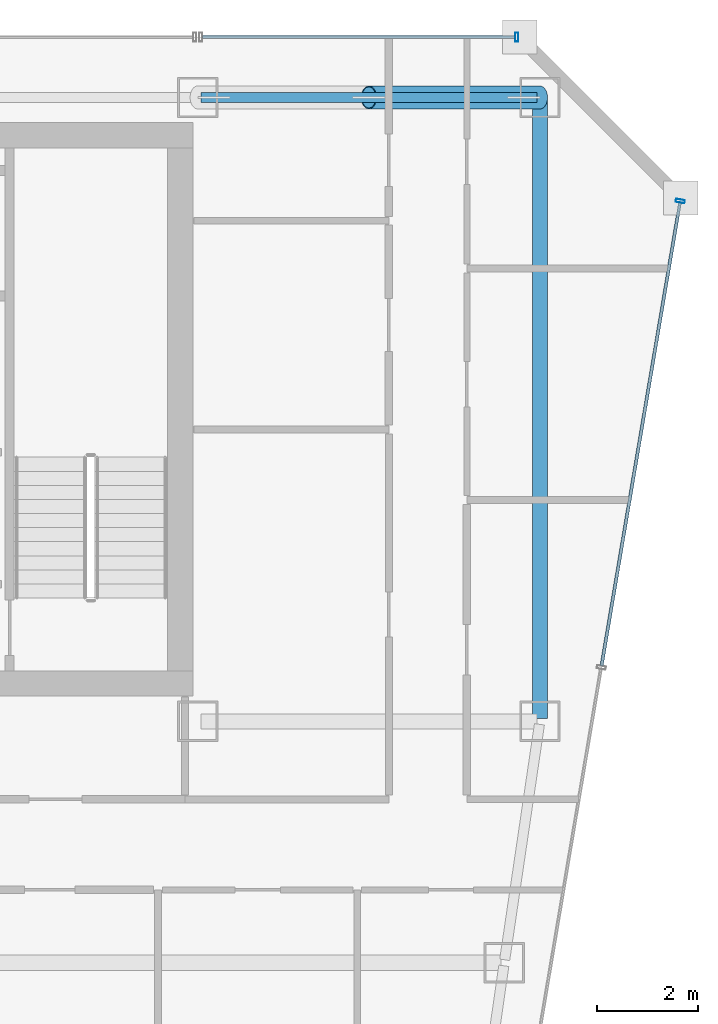
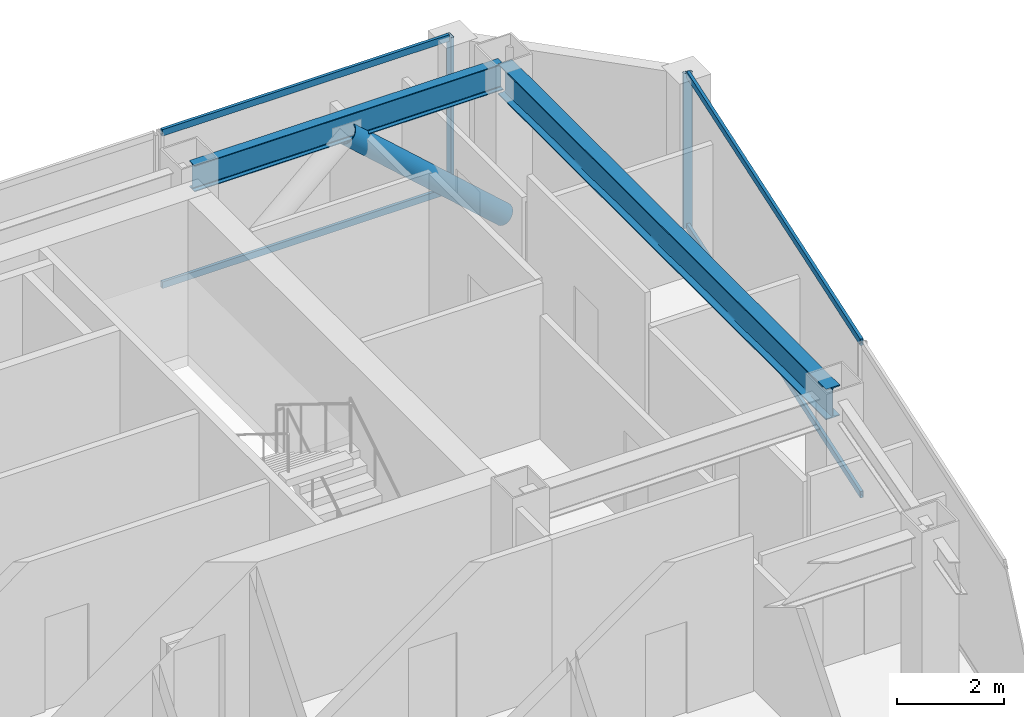
# One storey, part 27 of 36: 7 members, 2 beams, 2 elements without a shape of their own.
"""IFC4 building model written with IfcOpenShell, lengths in metres."""

from ifc_helpers import new_model, si_unit, direction, frame, origin, origin_2d, place, context, subcontext, project, spatial, hollow_rectangle, hollow_circle, i_section, extrude, material, material_profile, profile_set, type_object, element, aggregate, save


model = new_model("IFC4")

# Units and contexts
model_context = context("Model", 3, precision=1e-05, world=origin(), true_north=direction((0.0, 1.0)))
body_context = subcontext(model_context, "Body", "Model", "MODEL_VIEW")
ifc_project = project(units=[si_unit("LENGTHUNIT", "METRE"), si_unit("AREAUNIT", "SQUARE_METRE"), si_unit("VOLUMEUNIT", "CUBIC_METRE"), si_unit("PLANEANGLEUNIT", "RADIAN"), si_unit("MASSUNIT", "GRAM", prefix="KILO")], contexts=[model_context])

# Site, building, storey
site_placement = place(None, origin())
site = spatial("IfcSite", under=ifc_project, at=site_placement, CompositionType="ELEMENT")
building_placement = place(site_placement, origin())
building = spatial("IfcBuilding", under=site, at=building_placement, Name="Saevonmaru Cultural Tower", CompositionType="ELEMENT")
storey_placement = place(building_placement, frame((0.0, 0.0, 209.39990234375)))
storey = spatial("IfcBuildingStorey", under=building, at=storey_placement, Name="L48", CompositionType="ELEMENT", Elevation=209.39990234375)

# Beams
ifc_material_1 = material(Name="Steel SM355", Category="steel")
ifc_material_profile_1 = material_profile(ifc_material_1, i_section(OverallWidth=0.300048828125, OverallDepth=0.699951171875, WebThickness=0.012939453125, FlangeThickness=0.02392578125, FilletRadius=0.02587890625, at=origin_2d()), Name="H-700x300x13x24")
ifc_profile_set_1 = profile_set([ifc_material_profile_1], Name="Steel SM355")
beam_type_1 = type_object("IfcBeamType", Name="BM-G-H700", PredefinedType="BEAM", material=ifc_profile_set_1)
beam_1_placement = place(storey_placement, frame((53.199951171875, 54.739990234375, 3.2001953125), z_axis=(0.0, -1.0, 0.0), x_axis=(1.0, 0.0, 0.0)))
element("IfcBeam", 1, at=beam_1_placement, inside=storey, type_object=beam_type_1, Name="L48 Spine Transverse Girder E", PredefinedType="BEAM", context=body_context, shape_type="SweptSolid", body=[
    extrude(i_section(OverallWidth=0.300048828125, OverallDepth=0.699951171875, WebThickness=0.012939453125, FlangeThickness=0.02392578125, FilletRadius=0.02587890625, at=origin_2d()), origin(), (0.0, 0.0, 1.0), 12.280029296875),
])
ifc_material_profile_2 = material_profile(ifc_material_1, i_section(OverallWidth=0.199951171875, OverallDepth=0.60009765625, WebThickness=0.010986328125, FlangeThickness=0.01708984375, FilletRadius=0.02197265625, at=origin_2d()), Name="H-600x200x11x17")
ifc_profile_set_2 = profile_set([ifc_material_profile_2], Name="Steel SM355")
beam_type_2 = type_object("IfcBeamType", Name="BM-SP-H600", PredefinedType="SPANDREL", material=ifc_profile_set_2)
beam_2_placement = place(storey_placement, frame((46.4599609375, 54.800048828125, 3.25), z_axis=(1.0, 0.0, 0.0), x_axis=(0.0, 1.0, 0.0)))
element("IfcBeam", 2, at=beam_2_placement, inside=storey, type_object=beam_type_2, Name="L48 North Spine Girder 5", PredefinedType="SPANDREL", context=body_context, shape_type="SweptSolid", body=[
    extrude(i_section(OverallWidth=0.199951171875, OverallDepth=0.60009765625, WebThickness=0.010986328125, FlangeThickness=0.01708984375, FilletRadius=0.02197265625, at=origin_2d()), origin(), (0.0, 0.0, 1.0), 6.679931640625),
])

# Member
ifc_material_2 = material(Name="Steel SM420", Category="steel")
ifc_material_profile_3 = material_profile(ifc_material_2, hollow_circle(Radius=0.228515625, WallThickness=0.02001953125, at=origin_2d()), Name="CHS-457.2x20")
ifc_profile_set_3 = profile_set([ifc_material_profile_3], Name="Steel SM420")
member_type_1 = type_object("IfcMemberType", Name="MB-PBR-CHS457", PredefinedType="BRACE", material=ifc_profile_set_3)
member_1_placement = place(storey_placement, frame((53.199951171875, 54.800048828125, 0.02001953125), z_axis=(-0.744366945704, 0.0, 0.667770806597), x_axis=(0.0, -1.0, 0.0)))
element("IfcMember", 3, at=member_1_placement, inside=storey, type_object=member_type_1, Name="L48 Perimeter Braced-Tube Diagonal EN2", PredefinedType="BRACE", context=body_context, shape_type="SweptSolid", body=[
    extrude(hollow_circle(Radius=0.228515625, WallThickness=0.02001953125, at=origin_2d()), origin(), (0.0, 0.0, 1.0), 4.567626953125),
])

# Curtain wall, member
ifc_material_3 = material(Name="Satin Bronze Anodised Aluminium", Category="aluminium")
curtain_wall_type = type_object("IfcCurtainWallType", Name="CW-TYP-B", PredefinedType="NOTDEFINED", material=ifc_material_3)
curtain_wall_1_placement = place(storey_placement, origin())
curtain_wall_1 = element("IfcCurtainWall", 4, at=curtain_wall_1_placement, inside=storey, type_object=curtain_wall_type, Name="L48 Unitised Curtain Wall E8", PredefinedType="NOTDEFINED")
ifc_material_profile_4 = material_profile(ifc_material_3, hollow_rectangle(XDim=0.06494140625, YDim=0.179931640625, WallThickness=0.00390625, at=origin_2d()), Name="ALU-MULL-180x65x4")
ifc_profile_set_4 = profile_set([ifc_material_profile_4], Name="Satin Bronze Anodised Aluminium")
member_type_2 = type_object("IfcMemberType", Name="ML-CW-180x65", PredefinedType="MULLION", material=ifc_profile_set_4)
member_2_placement = place(storey_placement, frame((55.989990234375, 52.74072265625, 0.0), z_axis=(0.0, 0.0, 1.0), x_axis=(0.16692169721, 0.985970155228, 0.0)))
member_2 = element("IfcMember", 5, at=member_2_placement, type_object=member_type_2, Name="CW-TW-L48-E8 mullion 5", PredefinedType="MULLION", context=body_context, shape_type="SweptSolid", body=[
    extrude(hollow_rectangle(XDim=0.06494140625, YDim=0.179931640625, WallThickness=0.00390625, at=origin_2d()), origin(), (0.0, 0.0, 1.0), 3.550048828125),
])

curtain_wall_2_placement = place(storey_placement, origin())
curtain_wall_2 = element("IfcCurtainWall", 6, at=curtain_wall_2_placement, inside=storey, type_object=curtain_wall_type, Name="L48 East Braced Bay Spandrel Curtain Wall E10A", PredefinedType="NOTDEFINED")
member_3_placement = place(storey_placement, frame((52.739990234375, 56.0, 0.0), z_axis=(0.0, 0.0, 1.0), x_axis=(-1.0, 0.0, 0.0)))
member_3 = element("IfcMember", 7, at=member_3_placement, type_object=member_type_2, Name="CW-TW-L48-E10A mullion 1", PredefinedType="MULLION", context=body_context, shape_type="SweptSolid", body=[
    extrude(hollow_rectangle(XDim=0.06494140625, YDim=0.179931640625, WallThickness=0.00390625, at=origin_2d()), origin(), (0.0, 0.0, 1.0), 3.550048828125),
])

# Member
ifc_material_profile_5 = material_profile(ifc_material_3, hollow_rectangle(XDim=0.06494140625, YDim=0.14990234375, WallThickness=0.00390625, at=origin_2d()), Name="ALU-TRAN-150x65x4")
ifc_profile_set_5 = profile_set([ifc_material_profile_5], Name="Satin Bronze Anodised Aluminium")
member_type_3 = type_object("IfcMemberType", Name="TR-CW-150x65", PredefinedType="USERDEFINED", material=ifc_profile_set_5)
member_4_placement = place(storey_placement, frame((54.426025390625, 43.50244140625, 0.03271484375), z_axis=(0.166921263871, 0.985970228591, 0.0), x_axis=(-0.985970228591, 0.166921263871, 0.0)))
member_4 = element("IfcMember", 8, at=member_4_placement, type_object=member_type_3, Name="CW-TW-L48-E8 transom 4.1", ObjectType="TRANSOM", PredefinedType="USERDEFINED", context=body_context, shape_type="SweptSolid", body=[
    extrude(hollow_rectangle(XDim=0.06494140625, YDim=0.14990234375, WallThickness=0.00390625, at=origin_2d()), origin(), (0.0, 0.0, 1.0), 9.33740234375),
])

member_5_placement = place(storey_placement, frame((54.426025390625, 43.50244140625, 3.517578125), z_axis=(0.166921263871, 0.985970228591, 0.0), x_axis=(-0.985970228591, 0.166921263871, 0.0)))
member_5 = element("IfcMember", 9, at=member_5_placement, type_object=member_type_3, Name="CW-TW-L48-E8 transom 4.2", ObjectType="TRANSOM", PredefinedType="USERDEFINED", context=body_context, shape_type="SweptSolid", body=[
    extrude(hollow_rectangle(XDim=0.06494140625, YDim=0.14990234375, WallThickness=0.00390625, at=origin_2d()), origin(), (0.0, 0.0, 1.0), 9.33740234375),
])

aggregate(curtain_wall_1, [member_2, member_4, member_5])

member_6_placement = place(storey_placement, frame((52.70751953125, 56.0, 0.03271484375), z_axis=(-1.0, 0.0, 0.0), x_axis=(0.0, -1.0, 0.0)))
member_6 = element("IfcMember", 10, at=member_6_placement, type_object=member_type_3, Name="CW-TW-L48-E10A transom 1.1", ObjectType="TRANSOM", PredefinedType="USERDEFINED", context=body_context, shape_type="SweptSolid", body=[
    extrude(hollow_rectangle(XDim=0.06494140625, YDim=0.14990234375, WallThickness=0.00390625, at=origin_2d()), origin(), (0.0, 0.0, 1.0), 6.215087890625),
])

member_7_placement = place(storey_placement, frame((52.70751953125, 56.0, 3.517578125), z_axis=(-1.0, 0.0, 0.0), x_axis=(0.0, -1.0, 0.0)))
member_7 = element("IfcMember", 11, at=member_7_placement, type_object=member_type_3, Name="CW-TW-L48-E10A transom 1.2", ObjectType="TRANSOM", PredefinedType="USERDEFINED", context=body_context, shape_type="SweptSolid", body=[
    extrude(hollow_rectangle(XDim=0.06494140625, YDim=0.14990234375, WallThickness=0.00390625, at=origin_2d()), origin(), (0.0, 0.0, 1.0), 6.215087890625),
])

aggregate(curtain_wall_2, [member_3, member_6, member_7])

save(model, "model.ifc")
